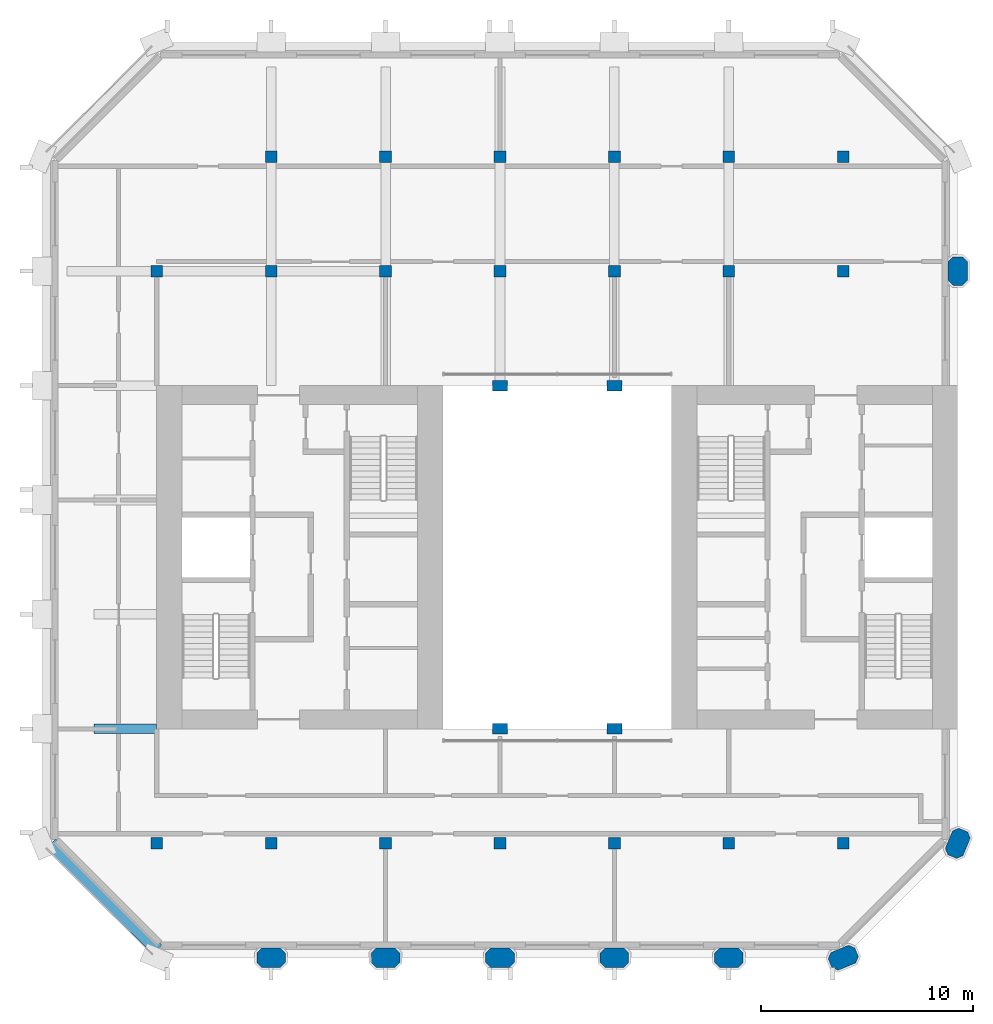
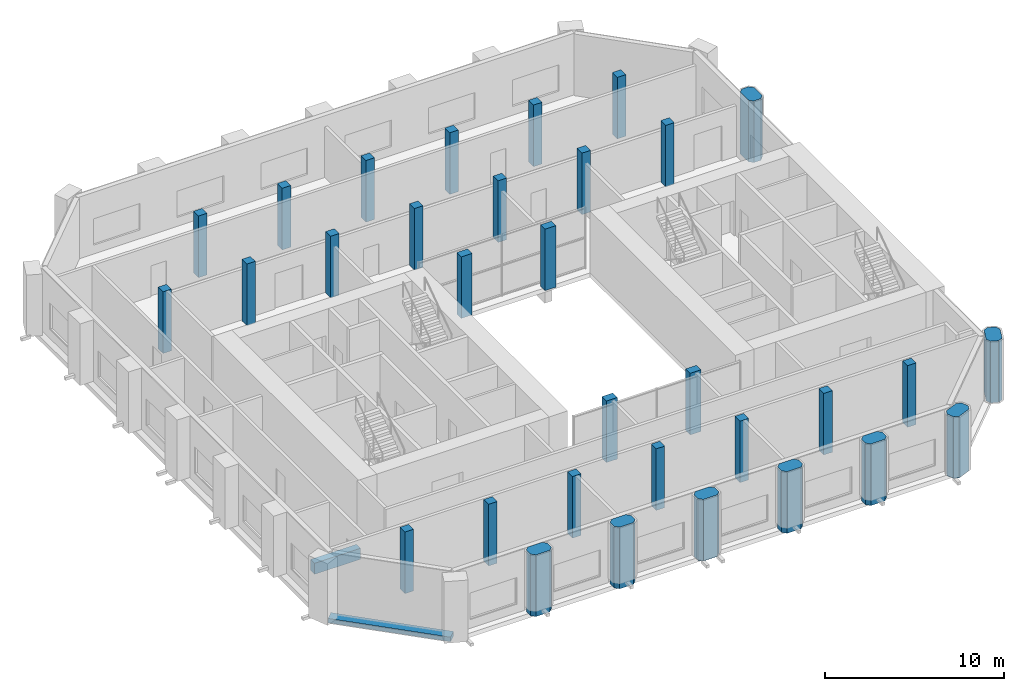
# One storey, part 1 of 11: 32 columns, 2 beams.
"""IFC4 building model written with IfcOpenShell, lengths in metres."""

from ifc_helpers import new_model, si_unit, direction, frame, origin, origin_2d, place, context, subcontext, project, spatial, polyline, rectangle, outline, extrude, material, material_profile, profile_set, type_object, element, save


model = new_model("IFC4")

# Units and contexts
model_context = context("Model", 3, precision=1e-05, world=origin(), true_north=direction((0.0, 1.0)))
body_context = subcontext(model_context, "Body", "Model", "MODEL_VIEW")
ifc_project = project(units=[si_unit("LENGTHUNIT", "METRE"), si_unit("AREAUNIT", "SQUARE_METRE"), si_unit("VOLUMEUNIT", "CUBIC_METRE"), si_unit("PLANEANGLEUNIT", "RADIAN"), si_unit("MASSUNIT", "GRAM", prefix="KILO")], contexts=[model_context])

# Site, building, storey
site_placement = place(None, origin())
site = spatial("IfcSite", under=ifc_project, at=site_placement, CompositionType="ELEMENT")
building_placement = place(site_placement, origin())
building = spatial("IfcBuilding", under=site, at=building_placement, Name="Tabaq Tower and Sports Hall", CompositionType="ELEMENT")
storey_placement = place(building_placement, frame((0.0, 0.0, 312.699951171875)))
storey = spatial("IfcBuildingStorey", under=building, at=storey_placement, Name="L78", CompositionType="ELEMENT", Elevation=312.699951171875)

# Columns
ifc_material_1 = material(Name="Concrete C40/50", Category="concrete")
ifc_material_profile_1 = material_profile(ifc_material_1, rectangle(XDim=0.699951171875, YDim=0.5, at=origin_2d()), Name="ATRIUM COLUMN 700x500")
ifc_profile_set_1 = profile_set([ifc_material_profile_1], Name="Concrete C40/50")
column_type_1 = type_object("IfcColumnType", Name="RC COLUMN ATRIUM COLUMN 700x500 C40/50", PredefinedType="COLUMN", material=ifc_profile_set_1)
for number, where, z_axis, x_axis, name in (
    (1, (21.60009765625, 16.199951171875, 0.0), (0.0, 0.0, 1.0), (1.0, 0.0, 0.0), "Atrium Column 5/D L78"),
    (2, (27.0, 16.199951171875, 0.0), (0.0, 0.0, 1.0), (1.0, 0.0, 0.0), "Atrium Column 6/D L78"),
    (3, (21.60009765625, 32.39990234375, 0.0), (0.0, 0.0, 1.0), (1.0, 0.0, 0.0), "Atrium Column 5/G L78"),
    (4, (27.0, 32.39990234375, 0.0), (0.0, 0.0, 1.0), (1.0, 0.0, 0.0), "Atrium Column 6/G L78"),
):
    element("IfcColumn", number, at=place(storey_placement, frame(where, z_axis=z_axis, x_axis=x_axis)), inside=storey, type_object=column_type_1, Name=name, PredefinedType="COLUMN", context=body_context, shape_type="SweptSolid", body=[
        extrude(rectangle(XDim=0.699951171875, YDim=0.5, at=origin_2d()), origin(), (0.0, 0.0, 1.0), 4.199951171875),
    ])
ifc_material_2 = material(Name="Concrete C40/50", Category="concrete")
ifc_material_profile_2 = material_profile(ifc_material_2, rectangle(XDim=0.550048828125, YDim=0.550048828125, at=origin_2d()), Name="COLUMN 550x550")
ifc_profile_set_2 = profile_set([ifc_material_profile_2], Name="Concrete C40/50")
column_type_2 = type_object("IfcColumnType", Name="RC COLUMN COLUMN 550x550 C40/50", PredefinedType="COLUMN", material=ifc_profile_set_2)
for number, where, z_axis, x_axis, name in (
    (5, (5.39990234375, 10.800048828125, 0.0), (0.0, 0.0, 1.0), (1.0, 0.0, 0.0), "Column 2/C L78"),
    (6, (10.800048828125, 10.800048828125, 0.0), (0.0, 0.0, 1.0), (1.0, 0.0, 0.0), "Column 3/C L78"),
    (7, (16.199951171875, 10.800048828125, 0.0), (0.0, 0.0, 1.0), (1.0, 0.0, 0.0), "Column 4/C L78"),
    (8, (21.60009765625, 10.800048828125, 0.0), (0.0, 0.0, 1.0), (1.0, 0.0, 0.0), "Column 5/C L78"),
    (9, (27.0, 10.800048828125, 0.0), (0.0, 0.0, 1.0), (1.0, 0.0, 0.0), "Column 6/C L78"),
    (10, (32.39990234375, 10.800048828125, 0.0), (0.0, 0.0, 1.0), (1.0, 0.0, 0.0), "Column 7/C L78"),
    (11, (37.800048828125, 10.800048828125, 0.0), (0.0, 0.0, 1.0), (1.0, 0.0, 0.0), "Column 8/C L78"),
    (12, (5.39990234375, 37.800048828125, 0.0), (0.0, 0.0, 1.0), (1.0, 0.0, 0.0), "Column 2/H L78"),
    (13, (10.800048828125, 37.800048828125, 0.0), (0.0, 0.0, 1.0), (1.0, 0.0, 0.0), "Column 3/H L78"),
    (14, (16.199951171875, 37.800048828125, 0.0), (0.0, 0.0, 1.0), (1.0, 0.0, 0.0), "Column 4/H L78"),
    (15, (21.60009765625, 37.800048828125, 0.0), (0.0, 0.0, 1.0), (1.0, 0.0, 0.0), "Column 5/H L78"),
    (16, (27.0, 37.800048828125, 0.0), (0.0, 0.0, 1.0), (1.0, 0.0, 0.0), "Column 6/H L78"),
    (17, (32.39990234375, 37.800048828125, 0.0), (0.0, 0.0, 1.0), (1.0, 0.0, 0.0), "Column 7/H L78"),
    (18, (37.800048828125, 37.800048828125, 0.0), (0.0, 0.0, 1.0), (1.0, 0.0, 0.0), "Column 8/H L78"),
    (19, (10.800048828125, 43.199951171875, 0.0), (0.0, 0.0, 1.0), (1.0, 0.0, 0.0), "Column 3/I L78"),
    (20, (16.199951171875, 43.199951171875, 0.0), (0.0, 0.0, 1.0), (1.0, 0.0, 0.0), "Column 4/I L78"),
    (21, (21.60009765625, 43.199951171875, 0.0), (0.0, 0.0, 1.0), (1.0, 0.0, 0.0), "Column 5/I L78"),
    (22, (27.0, 43.199951171875, 0.0), (0.0, 0.0, 1.0), (1.0, 0.0, 0.0), "Column 6/I L78"),
    (23, (32.39990234375, 43.199951171875, 0.0), (0.0, 0.0, 1.0), (1.0, 0.0, 0.0), "Column 7/I L78"),
    (24, (37.800048828125, 43.199951171875, 0.0), (0.0, 0.0, 1.0), (1.0, 0.0, 0.0), "Column 8/I L78"),
):
    element("IfcColumn", number, at=place(storey_placement, frame(where, z_axis=z_axis, x_axis=x_axis)), inside=storey, type_object=column_type_2, Name=name, PredefinedType="COLUMN", context=body_context, shape_type="SweptSolid", body=[
        extrude(rectangle(XDim=0.550048828125, YDim=0.550048828125, at=origin_2d()), origin(), (0.0, 0.0, 1.0), 4.199951171875),
    ])
ifc_material_3 = material(Name="Concrete C40/50", Category="concrete")
ifc_material_profile_3 = material_profile(ifc_material_3, outline(polyline([(-0.449951171875, -0.449951171875), (0.449951171875, -0.449951171875), (0.675048828125, -0.22509765625), (0.675048828125, 0.22509765625), (0.449951171875, 0.449951171875), (-0.449951171875, 0.449951171875), (-0.675048828125, 0.22509765625), (-0.675048828125, -0.22509765625), (-0.449951171875, -0.449951171875)])), Name="PIER 1350x900")
ifc_profile_set_3 = profile_set([ifc_material_profile_3], Name="Concrete C40/50")
column_type_3 = type_object("IfcColumnType", Name="RC COLUMN PIER 1350x900 C40/50", PredefinedType="COLUMN", material=ifc_profile_set_3)
for number, where, z_axis, x_axis, name in (
    (25, (10.800048828125, 5.39990234375, 0.0), (0.0, 0.0, 1.0), (1.0, 0.0, 0.0), "Pier 3/B L78"),
    (26, (16.199951171875, 5.39990234375, 0.0), (0.0, 0.0, 1.0), (1.0, 0.0, 0.0), "Pier 4/B L78"),
    (27, (21.60009765625, 5.39990234375, 0.0), (0.0, 0.0, 1.0), (1.0, 0.0, 0.0), "Pier 5/B L78"),
    (28, (27.0, 5.39990234375, 0.0), (0.0, 0.0, 1.0), (1.0, 0.0, 0.0), "Pier 6/B L78"),
    (29, (32.39990234375, 5.39990234375, 0.0), (0.0, 0.0, 1.0), (1.0, 0.0, 0.0), "Pier 7/B L78"),
    (30, (37.800048828125, 5.39990234375, 0.0), (0.0, 0.0, 1.0), (0.923879532511, 0.382683432365, 0.0), "Pier 8/B L78"),
    (31, (43.199951171875, 10.800048828125, 0.0), (0.0, 0.0, 1.0), (0.382683432365, 0.923879532511, 0.0), "Pier 9/C L78"),
    (32, (43.199951171875, 37.800048828125, 0.0), (0.0, 0.0, 1.0), (0.0, 1.0, 0.0), "Pier 9/H L78"),
):
    element("IfcColumn", number, at=place(storey_placement, frame(where, z_axis=z_axis, x_axis=x_axis)), inside=storey, type_object=column_type_3, Name=name, PredefinedType="COLUMN", context=body_context, shape_type="SweptSolid", body=[
        extrude(outline(polyline([(-0.449951171875, -0.449951171875), (0.449951171875, -0.449951171875), (0.675048828125, -0.22509765625), (0.675048828125, 0.22509765625), (0.449951171875, 0.449951171875), (-0.449951171875, 0.449951171875), (-0.675048828125, 0.22509765625), (-0.675048828125, -0.22509765625), (-0.449951171875, -0.449951171875)])), origin(), (0.0, 0.0, 1.0), 4.199951171875),
    ])

# Beams
ifc_material_4 = material(Name="Concrete C40/50", Category="concrete")
ifc_material_profile_4 = material_profile(ifc_material_4, rectangle(XDim=0.449951171875, YDim=0.75, at=origin_2d()), Name="CB 450x750")
ifc_profile_set_4 = profile_set([ifc_material_profile_4], Name="Concrete C40/50")
beam_type_1 = type_object("IfcBeamType", Name="PT CANTILEVER BEAM CB 450x750 C40/50", PredefinedType="BEAM", material=ifc_profile_set_4)
beam_1_placement = place(storey_placement, frame((2.449951171875, 16.199951171875, -0.675048828125), z_axis=(1.0, 0.0, 0.0), x_axis=(0.0, 1.0, 0.0)))
element("IfcBeam", 33, at=beam_1_placement, inside=storey, type_object=beam_type_1, Name="Cantilever Beam L78 W3 span 1", PredefinedType="BEAM", context=body_context, shape_type="SweptSolid", body=[
    extrude(rectangle(XDim=0.449951171875, YDim=0.75, at=origin_2d()), origin(), (0.0, 0.0, 1.0), 2.949951171875),
])
ifc_material_5 = material(Name="Concrete C40/50", Category="concrete")
ifc_material_profile_5 = material_profile(ifc_material_5, rectangle(XDim=0.60009765625, YDim=0.300048828125, at=origin_2d()), Name="EB 600x300")
ifc_profile_set_5 = profile_set([ifc_material_profile_5], Name="Concrete C40/50")
beam_type_2 = type_object("IfcBeamType", Name="PT EDGE BEAM EB 600x300 C40/50", PredefinedType="SPANDREL", material=ifc_profile_set_5)
beam_2_placement = place(storey_placement, frame((0.42333984375, 10.801025390625, -0.14990234375), z_axis=(0.707089559252, -0.707124002701, 0.0), x_axis=(0.707124002701, 0.707089559252, 0.0)))
element("IfcBeam", 34, at=beam_2_placement, inside=storey, type_object=beam_type_2, Name="Edge Beam L78 5", PredefinedType="SPANDREL", context=body_context, shape_type="SweptSolid", body=[
    extrude(rectangle(XDim=0.60009765625, YDim=0.300048828125, at=origin_2d()), origin(), (0.0, 0.0, 1.0), 7.088134765625),
])

save(model, "model.ifc")
